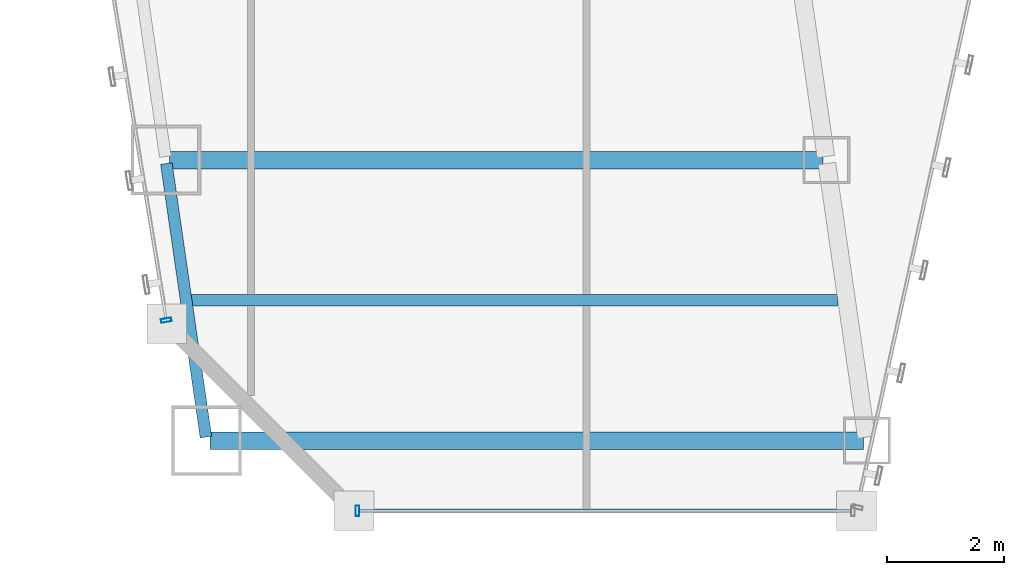
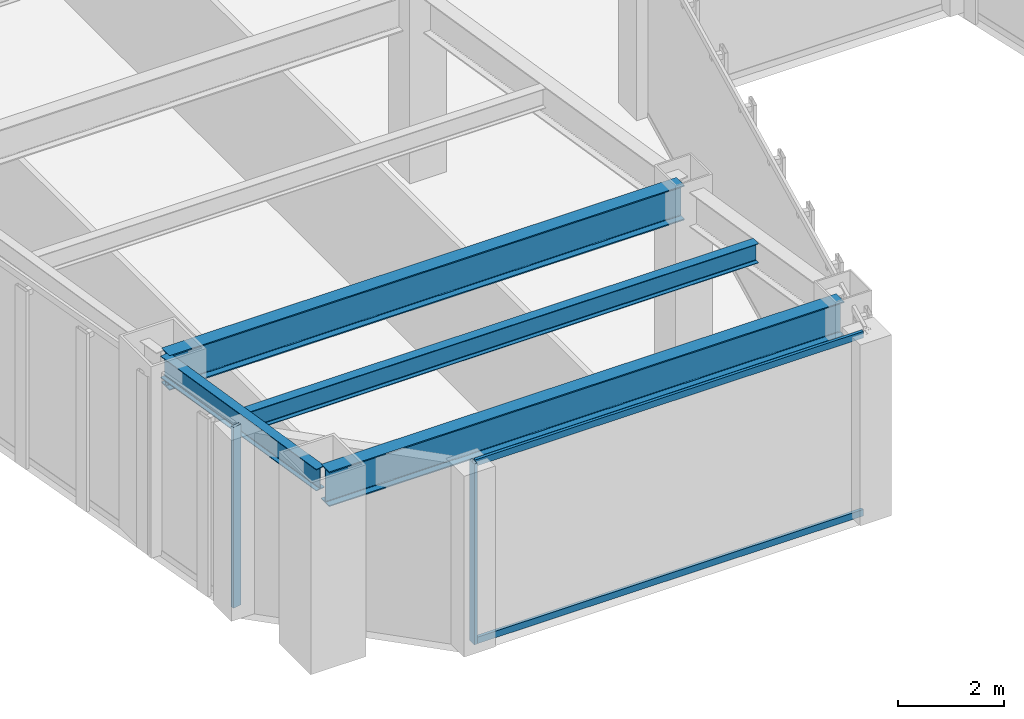
# One storey, part 4 of 49: 4 beams, 4 members, 2 elements without a shape of their own.
"""IFC4 building model written with IfcOpenShell, lengths in metres."""

from ifc_helpers import new_model, si_unit, direction, frame, origin, origin_2d, place, context, subcontext, project, spatial, hollow_rectangle, i_section, extrude, material, material_profile, profile_set, type_object, element, aggregate, save


model = new_model("IFC4")

# Units and contexts
model_context = context("Model", 3, precision=1e-05, world=origin(), true_north=direction((0.0, 1.0)))
body_context = subcontext(model_context, "Body", "Model", "MODEL_VIEW")
ifc_project = project(units=[si_unit("LENGTHUNIT", "METRE"), si_unit("AREAUNIT", "SQUARE_METRE"), si_unit("VOLUMEUNIT", "CUBIC_METRE"), si_unit("PLANEANGLEUNIT", "RADIAN"), si_unit("MASSUNIT", "GRAM", prefix="KILO")], contexts=[model_context])

# Site, building, storey
site_placement = place(None, origin())
site = spatial("IfcSite", under=ifc_project, at=site_placement, CompositionType="ELEMENT")
building_placement = place(site_placement, origin())
building = spatial("IfcBuilding", under=site, at=building_placement, Name="Saevonmaru Cultural Tower", CompositionType="ELEMENT")
storey_placement = place(building_placement, frame((0.0, 0.0, 73.60009765625)))
storey = spatial("IfcBuildingStorey", under=building, at=storey_placement, Name="L15", CompositionType="ELEMENT", Elevation=73.60009765625)

# Beams
ifc_material_1 = material(Name="Steel SM420", Category="steel")
ifc_material_profile_1 = material_profile(ifc_material_1, i_section(OverallWidth=0.300048828125, OverallDepth=0.800048828125, WebThickness=0.013916015625, FlangeThickness=0.02587890625, FilletRadius=0.028076171875, at=origin_2d()), Name="H-800x300x14x26")
ifc_profile_set_1 = profile_set([ifc_material_profile_1], Name="Steel SM420")
beam_type_1 = type_object("IfcBeamType", Name="BM-G-H800", PredefinedType="BEAM", material=ifc_profile_set_1)
for number, where, z_axis, x_axis, name in (
    (1, (12.537109375, 3.199951171875, 3.75), (1.0, 0.0, 0.0), (0.0, 1.0, 0.0), "L15 West Wing Transverse Girder 1"),
    (2, (11.843017578125, 8.0, 3.75), (1.0, 0.0, 0.0), (0.0, 1.0, 0.0), "L15 West Wing Transverse Girder 2"),
):
    element("IfcBeam", number, at=place(storey_placement, frame(where, z_axis=z_axis, x_axis=x_axis)), inside=storey, type_object=beam_type_1, Name=name, PredefinedType="BEAM", context=body_context, shape_type="SweptSolid", body=[
        extrude(i_section(OverallWidth=0.300048828125, OverallDepth=0.800048828125, WebThickness=0.013916015625, FlangeThickness=0.02587890625, FilletRadius=0.028076171875, at=origin_2d()), origin(), (0.0, 0.0, 1.0), 11.179931640625),
    ])
ifc_material_2 = material(Name="Steel SM355", Category="steel")
ifc_material_profile_2 = material_profile(ifc_material_2, i_section(OverallWidth=0.199951171875, OverallDepth=0.449951171875, WebThickness=0.009033203125, FlangeThickness=0.013916015625, FilletRadius=0.01806640625, at=origin_2d()), Name="H-450x200x9x14")
ifc_profile_set_2 = profile_set([ifc_material_profile_2], Name="Steel SM355")
beam_type_2 = type_object("IfcBeamType", Name="BM-J-H450", PredefinedType="JOIST", material=ifc_profile_set_2)
beam_1_placement = place(storey_placement, frame((12.18994140625, 5.60009765625, 3.9248046875), z_axis=(1.0, 0.0, 0.0), x_axis=(0.0, 1.0, 0.0)))
element("IfcBeam", 3, at=beam_1_placement, inside=storey, type_object=beam_type_2, Name="L15 West Wing Floor Joist 1", PredefinedType="JOIST", context=body_context, shape_type="SweptSolid", body=[
    extrude(i_section(OverallWidth=0.199951171875, OverallDepth=0.449951171875, WebThickness=0.009033203125, FlangeThickness=0.013916015625, FilletRadius=0.01806640625, at=origin_2d()), origin(), (0.0, 0.0, 1.0), 11.08203125),
])
ifc_material_profile_3 = material_profile(ifc_material_2, i_section(OverallWidth=0.199951171875, OverallDepth=0.5, WebThickness=0.010009765625, FlangeThickness=0.01611328125, FilletRadius=0.02001953125, at=origin_2d()), Name="H-500x200x10x16")
ifc_profile_set_3 = profile_set([ifc_material_profile_3], Name="Steel SM355")
beam_type_3 = type_object("IfcBeamType", Name="BM-SP-H500", PredefinedType="SPANDREL", material=ifc_profile_set_3)
beam_2_placement = place(storey_placement, frame((12.468505859375, 3.259521484375, 3.89990234375), z_axis=(-0.14313379491, 0.989703347855, 0.0), x_axis=(-0.989703347855, -0.14313379491, 0.0)))
element("IfcBeam", 4, at=beam_2_placement, inside=storey, type_object=beam_type_3, Name="L15 West Splayed Spandrel 1", PredefinedType="SPANDREL", context=body_context, shape_type="SweptSolid", body=[
    extrude(i_section(OverallWidth=0.199951171875, OverallDepth=0.5, WebThickness=0.010009765625, FlangeThickness=0.01611328125, FilletRadius=0.02001953125, at=origin_2d()), origin(), (0.0, 0.0, 1.0), 4.729736328125),
])

# Curtain wall, member
ifc_material_3 = material(Name="Satin Bronze Anodised Aluminium", Category="aluminium")
curtain_wall_type = type_object("IfcCurtainWallType", Name="CW-TYP-A", PredefinedType="NOTDEFINED", material=ifc_material_3)
curtain_wall_1_placement = place(storey_placement, origin())
curtain_wall_1 = element("IfcCurtainWall", 5, at=curtain_wall_1_placement, inside=storey, type_object=curtain_wall_type, Name="L15 Unitised Curtain Wall E2", PredefinedType="NOTDEFINED")
ifc_material_profile_4 = material_profile(ifc_material_3, hollow_rectangle(XDim=0.06494140625, YDim=0.179931640625, WallThickness=0.00390625, at=origin_2d()), Name="ALU-MULL-180x65x4")
ifc_profile_set_4 = profile_set([ifc_material_profile_4], Name="Satin Bronze Anodised Aluminium")
member_type_1 = type_object("IfcMemberType", Name="ML-CW-180x65", PredefinedType="MULLION", material=ifc_profile_set_4)
member_1_placement = place(storey_placement, frame((15.06005859375, 2.0, 0.0), z_axis=(0.0, 0.0, 1.0), x_axis=(1.0, 0.0, 0.0)))
member_1 = element("IfcMember", 6, at=member_1_placement, type_object=member_type_1, Name="CW-TW-L15-E2 mullion 1", PredefinedType="MULLION", context=body_context, shape_type="SweptSolid", body=[
    extrude(hollow_rectangle(XDim=0.06494140625, YDim=0.179931640625, WallThickness=0.00390625, at=origin_2d()), origin(), (0.0, 0.0, 1.0), 4.14990234375),
])

curtain_wall_2_placement = place(storey_placement, origin())
curtain_wall_2 = element("IfcCurtainWall", 7, at=curtain_wall_2_placement, inside=storey, type_object=curtain_wall_type, Name="L15 Unitised Curtain Wall E12", PredefinedType="NOTDEFINED")
member_2_placement = place(storey_placement, frame((11.790283203125, 5.25927734375, 0.0), z_axis=(0.0, 0.0, 1.0), x_axis=(0.161708868641, -0.986838508472, 0.0)))
member_2 = element("IfcMember", 8, at=member_2_placement, type_object=member_type_1, Name="CW-TW-L15-E12 mullion 5", PredefinedType="MULLION", context=body_context, shape_type="SweptSolid", body=[
    extrude(hollow_rectangle(XDim=0.06494140625, YDim=0.179931640625, WallThickness=0.00390625, at=origin_2d()), origin(), (0.0, 0.0, 1.0), 4.14990234375),
])
aggregate(curtain_wall_2, [member_2])

# Member
ifc_material_profile_5 = material_profile(ifc_material_3, hollow_rectangle(XDim=0.06494140625, YDim=0.14990234375, WallThickness=0.00390625, at=origin_2d()), Name="ALU-TRAN-150x65x4")
ifc_profile_set_5 = profile_set([ifc_material_profile_5], Name="Satin Bronze Anodised Aluminium")
member_type_2 = type_object("IfcMemberType", Name="TR-CW-150x65", PredefinedType="USERDEFINED", material=ifc_profile_set_5)
member_3_placement = place(storey_placement, frame((15.092529296875, 2.0, 0.032470703125), z_axis=(1.0, 0.0, 0.0), x_axis=(0.0, 1.0, 0.0)))
member_3 = element("IfcMember", 9, at=member_3_placement, type_object=member_type_2, Name="CW-TW-L15-E2 transom 1.1", ObjectType="TRANSOM", PredefinedType="USERDEFINED", context=body_context, shape_type="SweptSolid", body=[
    extrude(hollow_rectangle(XDim=0.06494140625, YDim=0.14990234375, WallThickness=0.00390625, at=origin_2d()), origin(), (0.0, 0.0, 1.0), 8.4150390625),
])

member_4_placement = place(storey_placement, frame((15.092529296875, 2.0, 4.117431640625), z_axis=(1.0, 0.0, 0.0), x_axis=(0.0, 1.0, 0.0)))
member_4 = element("IfcMember", 10, at=member_4_placement, type_object=member_type_2, Name="CW-TW-L15-E2 transom 1.2", ObjectType="TRANSOM", PredefinedType="USERDEFINED", context=body_context, shape_type="SweptSolid", body=[
    extrude(hollow_rectangle(XDim=0.06494140625, YDim=0.14990234375, WallThickness=0.00390625, at=origin_2d()), origin(), (0.0, 0.0, 1.0), 8.4150390625),
])

aggregate(curtain_wall_1, [member_1, member_3, member_4])

save(model, "model.ifc")
